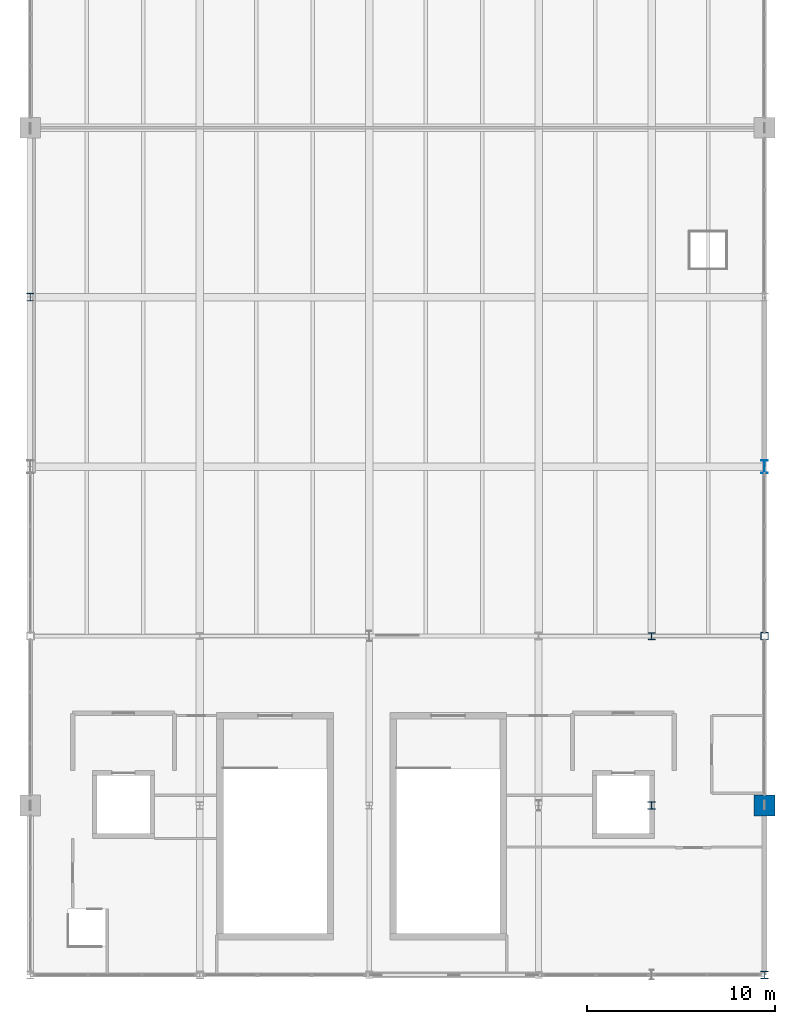
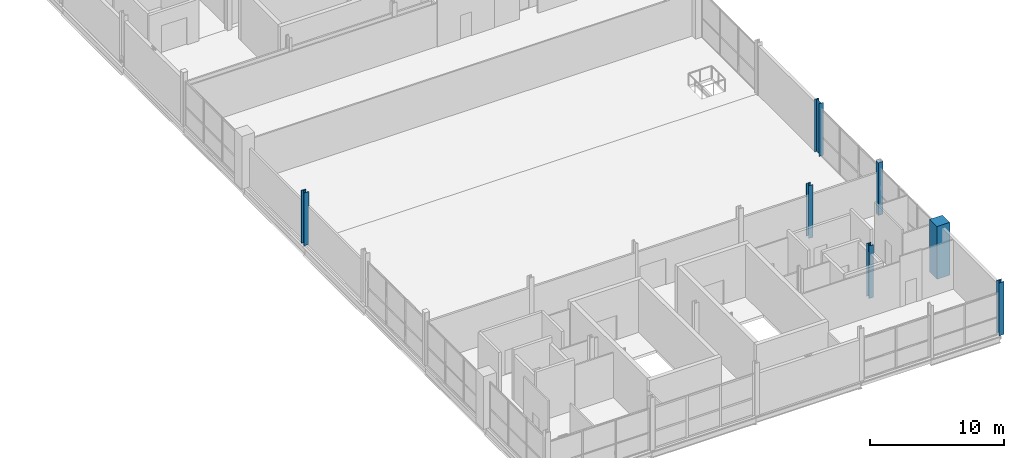
# One storey, part 2 of 29: 7 columns.
"""IFC4 building model written with IfcOpenShell, lengths in metres."""

from ifc_helpers import new_model, si_unit, direction, frame, origin, origin_2d, place, context, subcontext, project, spatial, rectangle, hollow_rectangle, i_section, extrude, material, material_profile, profile_set, type_object, element, save


model = new_model("IFC4")

# Units and contexts
model_context = context("Model", 3, precision=1e-05, world=origin(), true_north=direction((0.0, 1.0)))
body_context = subcontext(model_context, "Body", "Model", "MODEL_VIEW")
ifc_project = project(units=[si_unit("LENGTHUNIT", "METRE"), si_unit("AREAUNIT", "SQUARE_METRE"), si_unit("VOLUMEUNIT", "CUBIC_METRE"), si_unit("PLANEANGLEUNIT", "RADIAN"), si_unit("MASSUNIT", "GRAM", prefix="KILO")], contexts=[model_context])

# Site, building, storey
site_placement = place(None, origin())
site = spatial("IfcSite", under=ifc_project, at=site_placement, CompositionType="ELEMENT")
building_placement = place(site_placement, origin())
building = spatial("IfcBuilding", under=site, at=building_placement, Name="Qamarlyn Nura Convention Centre", CompositionType="ELEMENT")
storey_placement = place(building_placement, frame((0.0, 0.0, 25.199951171875)))
storey = spatial("IfcBuildingStorey", under=building, at=storey_placement, Name="L05", CompositionType="ELEMENT", Elevation=25.199951171875)

# Columns
ifc_material_1 = material(Name="Steel ASTM A500 Grade C", Category="steel")
ifc_material_profile_1 = material_profile(ifc_material_1, hollow_rectangle(XDim=0.39990234375, YDim=0.39990234375, WallThickness=0.01611328125, InnerFilletRadius=0.01611328125, OuterFilletRadius=0.031982421875, at=origin_2d()), Name="HSS400X400X16")
ifc_profile_set_1 = profile_set([ifc_material_profile_1], Name="Steel ASTM A500 Grade C")
column_type_1 = type_object("IfcColumnType", Name="COL-HSS-1", PredefinedType="COLUMN", material=ifc_profile_set_1)
column_1_placement = place(storey_placement, frame((192.0, 18.0, 0.0), z_axis=(0.0, 0.0, 1.0), x_axis=(1.0, 0.0, 0.0)))
element("IfcColumn", 1, at=column_1_placement, inside=storey, type_object=column_type_1, Name="L05 column 18/C", PredefinedType="COLUMN", context=body_context, shape_type="SweptSolid", body=[
    extrude(hollow_rectangle(XDim=0.39990234375, YDim=0.39990234375, WallThickness=0.01611328125, InnerFilletRadius=0.01611328125, OuterFilletRadius=0.031982421875, at=origin_2d()), origin(), (0.0, 0.0, 1.0), 4.800048828125),
])
ifc_material_2 = material(Name="Steel ASTM A992", Category="steel")
ifc_material_profile_2 = material_profile(ifc_material_2, i_section(OverallWidth=0.408935546875, OverallDepth=0.425048828125, WebThickness=0.030517578125, FlangeThickness=0.049072265625, FilletRadius=0.02001953125, at=origin_2d()), Name="W360X421")
ifc_profile_set_2 = profile_set([ifc_material_profile_2], Name="Steel ASTM A992")
column_type_2 = type_object("IfcColumnType", Name="COL-MEGA-1", PredefinedType="COLUMN", material=ifc_profile_set_2)
for number, where, z_axis, x_axis, name in (
    (2, (153.0, 36.0, 0.0), (0.0, 0.0, 1.0), (1.0, 0.0, 0.0), "L05 column 13/E"),
    (3, (192.0, 0.0, 0.0), (0.0, 0.0, 1.0), (1.0, 0.0, 0.0), "L05 column 18/A"),
):
    element("IfcColumn", number, at=place(storey_placement, frame(where, z_axis=z_axis, x_axis=x_axis)), inside=storey, type_object=column_type_2, Name=name, PredefinedType="COLUMN", context=body_context, shape_type="SweptSolid", body=[
        extrude(i_section(OverallWidth=0.408935546875, OverallDepth=0.425048828125, WebThickness=0.030517578125, FlangeThickness=0.049072265625, FilletRadius=0.02001953125, at=origin_2d()), origin(), (0.0, 0.0, 1.0), 4.800048828125),
    ])
ifc_material_3 = material(Name="Concrete C50/60", Category="concrete")
ifc_material_profile_3 = material_profile(ifc_material_3, rectangle(XDim=1.10009765625, YDim=1.10009765625, at=origin_2d()), Name="RC 1100x1100")
ifc_profile_set_3 = profile_set([ifc_material_profile_3], Name="Concrete C50/60")
column_type_3 = type_object("IfcColumnType", Name="COL-MEGA-2", PredefinedType="COLUMN", material=ifc_profile_set_3)
column_2_placement = place(storey_placement, frame((192.0, 9.0, 0.0), z_axis=(0.0, 0.0, 1.0), x_axis=(1.0, 0.0, 0.0)))
element("IfcColumn", 4, at=column_2_placement, inside=storey, type_object=column_type_3, Name="L05 column 18/B", PredefinedType="COLUMN", context=body_context, shape_type="SweptSolid", body=[
    extrude(rectangle(XDim=1.10009765625, YDim=1.10009765625, at=origin_2d()), origin(), (0.0, 0.0, 1.0), 4.800048828125),
])
ifc_material_profile_4 = material_profile(ifc_material_2, i_section(OverallWidth=0.39892578125, OverallDepth=0.39306640625, WebThickness=0.022705078125, FlangeThickness=0.03662109375, FilletRadius=0.01806640625, at=origin_2d()), Name="W360X287")
ifc_profile_set_4 = profile_set([ifc_material_profile_4], Name="Steel ASTM A992")
column_type_4 = type_object("IfcColumnType", Name="COL-WING-1", PredefinedType="COLUMN", material=ifc_profile_set_4)
column_3_placement = place(storey_placement, frame((186.0, 9.0, 0.0), z_axis=(0.0, 0.0, 1.0), x_axis=(1.0, 0.0, 0.0)))
element("IfcColumn", 5, at=column_3_placement, inside=storey, type_object=column_type_4, Name="L05 column 17/B", PredefinedType="COLUMN", context=body_context, shape_type="SweptSolid", body=[
    extrude(i_section(OverallWidth=0.39892578125, OverallDepth=0.39306640625, WebThickness=0.022705078125, FlangeThickness=0.03662109375, FilletRadius=0.01806640625, at=origin_2d()), origin(), (0.0, 0.0, 1.0), 4.800048828125),
])
ifc_material_profile_5 = material_profile(ifc_material_2, i_section(OverallWidth=0.3740234375, OverallDepth=0.3720703125, WebThickness=0.016357421875, FlangeThickness=0.026123046875, FilletRadius=0.01611328125, at=origin_2d()), Name="W360X196")
ifc_profile_set_5 = profile_set([ifc_material_profile_5], Name="Steel ASTM A992")
column_type_5 = type_object("IfcColumnType", Name="COL-WING-2", PredefinedType="COLUMN", material=ifc_profile_set_5)
column_4_placement = place(storey_placement, frame((186.0, 18.0, 0.0), z_axis=(0.0, 0.0, 1.0), x_axis=(1.0, 0.0, 0.0)))
element("IfcColumn", 6, at=column_4_placement, inside=storey, type_object=column_type_5, Name="L05 column 17/C", PredefinedType="COLUMN", context=body_context, shape_type="SweptSolid", body=[
    extrude(i_section(OverallWidth=0.3740234375, OverallDepth=0.3720703125, WebThickness=0.016357421875, FlangeThickness=0.026123046875, FilletRadius=0.01611328125, at=origin_2d()), origin(), (0.0, 0.0, 1.0), 4.800048828125),
])
ifc_material_profile_6 = material_profile(ifc_material_2, i_section(OverallWidth=0.35498046875, OverallDepth=0.695068359375, WebThickness=0.015380859375, FlangeThickness=0.02490234375, FilletRadius=0.01806640625, at=origin_2d()), Name="W690X217")
ifc_profile_set_6 = profile_set([ifc_material_profile_6], Name="Steel ASTM A992")
column_type_6 = type_object("IfcColumnType", Name="COL-WING-5", PredefinedType="COLUMN", material=ifc_profile_set_6)
column_5_placement = place(storey_placement, frame((192.0, 27.0, 0.0), z_axis=(0.0, 0.0, 1.0), x_axis=(1.0, 0.0, 0.0)))
element("IfcColumn", 7, at=column_5_placement, inside=storey, type_object=column_type_6, Name="L05 column 18/D", PredefinedType="COLUMN", context=body_context, shape_type="SweptSolid", body=[
    extrude(i_section(OverallWidth=0.35498046875, OverallDepth=0.695068359375, WebThickness=0.015380859375, FlangeThickness=0.02490234375, FilletRadius=0.01806640625, at=origin_2d()), origin(), (0.0, 0.0, 1.0), 4.800048828125),
])

save(model, "model.ifc")
